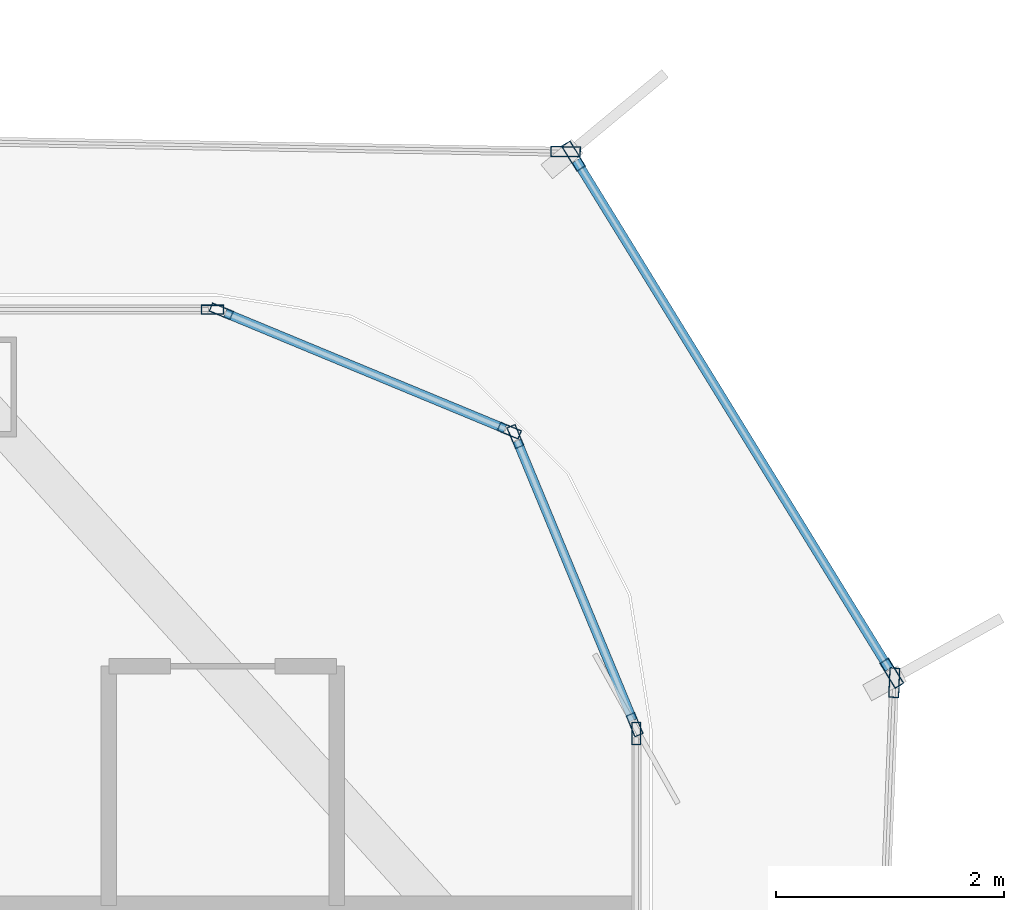
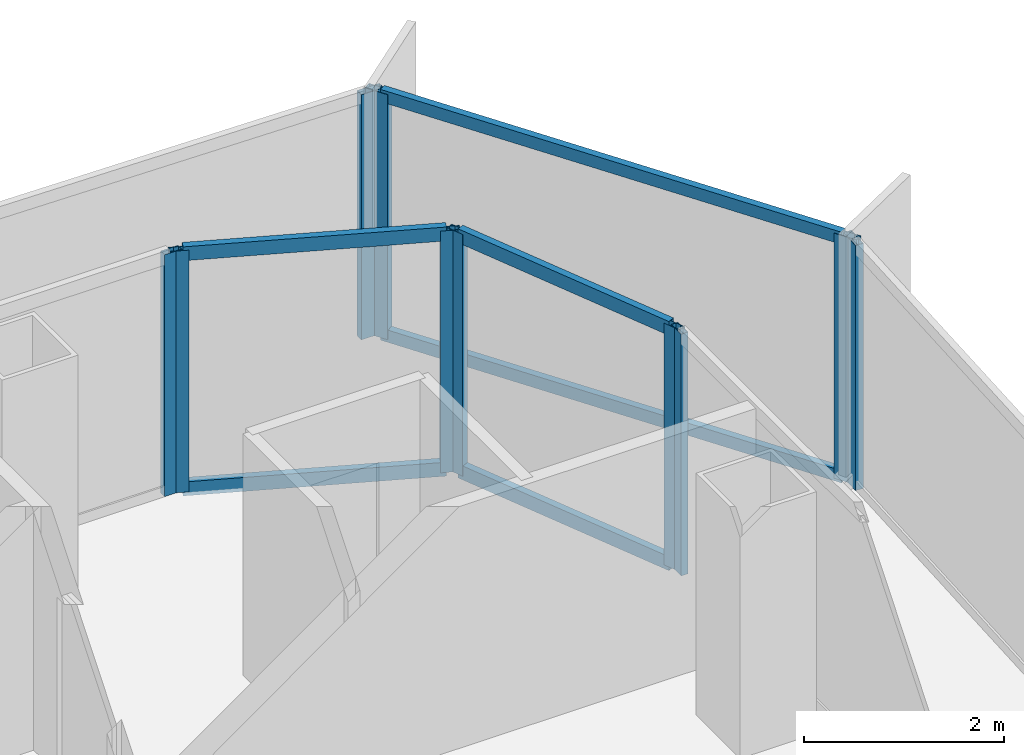
# One storey, part 14 of 21: 16 members, 7 elements without a shape of their own.
"""IFC4 building model written with IfcOpenShell, lengths in metres."""

from ifc_helpers import new_model, si_unit, direction, frame, origin, origin_2d, place, context, subcontext, project, spatial, hollow_rectangle, extrude, source, transform, mapped, material, layer, layer_set, material_profile, profile_set, type_object, element, aggregate, save


model = new_model("IFC4")

# Units and contexts
model_context = context("Model", 3, precision=1e-05, world=origin(), true_north=direction((0.0, 1.0)))
body_context = subcontext(model_context, "Body", "Model", "MODEL_VIEW")
ifc_project = project(units=[si_unit("LENGTHUNIT", "METRE"), si_unit("AREAUNIT", "SQUARE_METRE"), si_unit("VOLUMEUNIT", "CUBIC_METRE"), si_unit("PLANEANGLEUNIT", "RADIAN"), si_unit("MASSUNIT", "GRAM", prefix="KILO")], contexts=[model_context])

# Site, building, storey
site_placement = place(None, origin())
site = spatial("IfcSite", under=ifc_project, at=site_placement, CompositionType="ELEMENT")
building_placement = place(site_placement, origin())
building = spatial("IfcBuilding", under=site, at=building_placement, Name="Kolveth Station Tower", CompositionType="ELEMENT")
storey_placement = place(building_placement, frame((0.0, 0.0, 121.5)))
storey = spatial("IfcBuildingStorey", under=building, at=storey_placement, Name="L33", CompositionType="ELEMENT", Elevation=121.5)

# Curtain wall, member
ifc_material_1 = material(Name="Aluminium 6063-T6 and low-E dark glass", Category="aluminium")
ifc_layer_1 = layer(ifc_material_1, 0.18994140625)
ifc_layer_set_1 = layer_set([ifc_layer_1], Name="Aluminium 6063-T6 and low-E dark glass")
curtain_wall_type_1 = type_object("IfcCurtainWallType", Name="CurtainWall_CW-Z2", PredefinedType="NOTDEFINED", material=ifc_layer_set_1)
curtain_wall_1_placement = place(storey_placement, origin())
curtain_wall_1 = element("IfcCurtainWall", 1, at=curtain_wall_1_placement, inside=storey, type_object=curtain_wall_type_1, Name="L33 Inner Thermal Curtain Wall 3", PredefinedType="NOTDEFINED")
ifc_material_2 = material(Name="Black anodized aluminium 6063-T6", Category="aluminium")
ifc_material_profile_1 = material_profile(ifc_material_2, hollow_rectangle(XDim=0.080078125, YDim=0.199951171875, WallThickness=0.0048828125, at=origin_2d()), Name="ALU-80x200x5")
ifc_profile_set_1 = profile_set([ifc_material_profile_1], Name="Black anodized aluminium 6063-T6")
member_type_1 = type_object("IfcMemberType", Name="Mullion_ML2", PredefinedType="MULLION", material=ifc_profile_set_1)
shared_shape_1 = source(origin(), body_context, "Body", "SweptSolid", [
    extrude(hollow_rectangle(XDim=0.080078125, YDim=0.199951171875, WallThickness=0.0048828125, at=origin_2d()), origin(), (0.0, 0.0, 1.0), 2.949951171875),
])
member_1_placement = place(storey_placement, frame((46.8798828125, 31.4599609375, 0.0), z_axis=(0.0, 0.0, 1.0), x_axis=(-1.0, 0.0, 0.0)))
member_1 = element("IfcMember", 2, at=member_1_placement, type_object=member_type_1, Name="CW-Z2 mullion 2", PredefinedType="MULLION", context=body_context, shape_type="MappedRepresentation", body=[
    mapped(shared_shape_1, transform((0.0, 0.0, 0.0), x_axis=(1.0, 0.0, 0.0), y_axis=(0.0, 1.0, 0.0), z_axis=(0.0, 0.0, 1.0), scale=1.0)),
])
aggregate(curtain_wall_1, [member_1])

# Curtain wall, members
curtain_wall_2_placement = place(storey_placement, origin())
curtain_wall_2 = element("IfcCurtainWall", 3, at=curtain_wall_2_placement, inside=storey, type_object=curtain_wall_type_1, Name="L33 Inner Thermal Curtain Wall 4", PredefinedType="NOTDEFINED")
member_2_placement = place(storey_placement, frame((46.86474609375, 31.536865234375, 0.0), z_axis=(0.0, 0.0, 1.0), x_axis=(-0.923887883787, -0.38266326998, 0.0)))
member_2 = element("IfcMember", 4, at=member_2_placement, type_object=member_type_1, Name="CW-Z2 mullion 1", PredefinedType="MULLION", context=body_context, shape_type="MappedRepresentation", body=[
    mapped(shared_shape_1, transform((0.0, 0.0, 0.0), x_axis=(1.0, 0.0, 0.0), y_axis=(0.0, 1.0, 0.0), z_axis=(0.0, 0.0, 1.0), scale=1.0)),
])
member_3_placement = place(storey_placement, frame((45.817626953125, 34.065185546875, 0.0), z_axis=(0.0, 0.0, 1.0), x_axis=(-0.923887883787, -0.38266326998, 0.0)))
member_3 = element("IfcMember", 5, at=member_3_placement, type_object=member_type_1, Name="CW-Z2 mullion 2", PredefinedType="MULLION", context=body_context, shape_type="MappedRepresentation", body=[
    mapped(shared_shape_1, transform((0.0, 0.0, 0.0), x_axis=(1.0, 0.0, 0.0), y_axis=(0.0, 1.0, 0.0), z_axis=(0.0, 0.0, 1.0), scale=1.0)),
])

curtain_wall_3_placement = place(storey_placement, origin())
curtain_wall_3 = element("IfcCurtainWall", 6, at=curtain_wall_3_placement, inside=storey, type_object=curtain_wall_type_1, Name="L33 Inner Thermal Curtain Wall 5", PredefinedType="NOTDEFINED")
member_4_placement = place(storey_placement, frame((45.76513671875, 34.117431640625, 0.0), z_axis=(0.0, 0.0, 1.0), x_axis=(-0.38266326998, -0.923887883787, 0.0)))
member_4 = element("IfcMember", 7, at=member_4_placement, type_object=member_type_1, Name="CW-Z2 mullion 1", PredefinedType="MULLION", context=body_context, shape_type="MappedRepresentation", body=[
    mapped(shared_shape_1, transform((0.0, 0.0, 0.0), x_axis=(1.0, 0.0, 0.0), y_axis=(0.0, 1.0, 0.0), z_axis=(0.0, 0.0, 1.0), scale=1.0)),
])
member_5_placement = place(storey_placement, frame((43.237060546875, 35.164794921875, 0.0), z_axis=(0.0, 0.0, 1.0), x_axis=(-0.38266326998, -0.923887883787, 0.0)))
member_5 = element("IfcMember", 8, at=member_5_placement, type_object=member_type_1, Name="CW-Z2 mullion 2", PredefinedType="MULLION", context=body_context, shape_type="MappedRepresentation", body=[
    mapped(shared_shape_1, transform((0.0, 0.0, 0.0), x_axis=(1.0, 0.0, 0.0), y_axis=(0.0, 1.0, 0.0), z_axis=(0.0, 0.0, 1.0), scale=1.0)),
])

# Curtain wall, member
curtain_wall_4_placement = place(storey_placement, origin())
curtain_wall_4 = element("IfcCurtainWall", 9, at=curtain_wall_4_placement, inside=storey, type_object=curtain_wall_type_1, Name="L33 Inner Thermal Curtain Wall 6", PredefinedType="NOTDEFINED")
member_6_placement = place(storey_placement, frame((43.159912109375, 35.179931640625, 0.0), z_axis=(0.0, 0.0, 1.0), x_axis=(0.0, -1.0, 0.0)))
member_6 = element("IfcMember", 10, at=member_6_placement, type_object=member_type_1, Name="CW-Z2 mullion 1", PredefinedType="MULLION", context=body_context, shape_type="MappedRepresentation", body=[
    mapped(shared_shape_1, transform((0.0, 0.0, 0.0), x_axis=(1.0, 0.0, 0.0), y_axis=(0.0, 1.0, 0.0), z_axis=(0.0, 0.0, 1.0), scale=1.0)),
])
aggregate(curtain_wall_4, [member_6])

# Member
ifc_material_profile_2 = material_profile(ifc_material_2, hollow_rectangle(XDim=0.080078125, YDim=0.169921875, WallThickness=0.0048828125, at=origin_2d()), Name="ALU-80x170x5")
ifc_profile_set_2 = profile_set([ifc_material_profile_2], Name="Black anodized aluminium 6063-T6")
member_type_2 = type_object("IfcMemberType", Name="Transom_TR2", PredefinedType="USERDEFINED", material=ifc_profile_set_2)
shared_shape_2 = source(origin(), body_context, "Body", "SweptSolid", [
    extrude(hollow_rectangle(XDim=0.080078125, YDim=0.169921875, WallThickness=0.0048828125, at=origin_2d()), origin(), (0.0, 0.0, 1.0), 2.656494140625),
])
member_7_placement = place(storey_placement, frame((46.849365234375, 31.573974609375, 0.0400390625), z_axis=(-0.382676455475, 0.923882422403, 0.0), x_axis=(-0.923882422403, -0.382676455475, 0.0)))
member_7 = element("IfcMember", 11, at=member_7_placement, type_object=member_type_2, Name="CW-Z2 transom 1.1", ObjectType="TRANSOM", PredefinedType="USERDEFINED", context=body_context, shape_type="MappedRepresentation", body=[
    mapped(shared_shape_2, transform((0.0, 0.0, 0.0), x_axis=(1.0, 0.0, 0.0), y_axis=(0.0, 1.0, 0.0), z_axis=(0.0, 0.0, 1.0), scale=1.0)),
])

member_8_placement = place(storey_placement, frame((46.849365234375, 31.573974609375, 2.909912109375), z_axis=(-0.382676455475, 0.923882422403, 0.0), x_axis=(-0.923882422403, -0.382676455475, 0.0)))
member_8 = element("IfcMember", 12, at=member_8_placement, type_object=member_type_2, Name="CW-Z2 transom 1.2", ObjectType="TRANSOM", PredefinedType="USERDEFINED", context=body_context, shape_type="MappedRepresentation", body=[
    mapped(shared_shape_2, transform((0.0, 0.0, 0.0), x_axis=(1.0, 0.0, 0.0), y_axis=(0.0, 1.0, 0.0), z_axis=(0.0, 0.0, 1.0), scale=1.0)),
])

aggregate(curtain_wall_2, [member_2, member_3, member_7, member_8])

member_9_placement = place(storey_placement, frame((45.728271484375, 34.1328125, 0.0400390625), z_axis=(-0.923882422403, 0.382676455475, 0.0), x_axis=(-0.382676455475, -0.923882422403, 0.0)))
member_9 = element("IfcMember", 13, at=member_9_placement, type_object=member_type_2, Name="CW-Z2 transom 1.1", ObjectType="TRANSOM", PredefinedType="USERDEFINED", context=body_context, shape_type="MappedRepresentation", body=[
    mapped(shared_shape_2, transform((0.0, 0.0, 0.0), x_axis=(1.0, 0.0, 0.0), y_axis=(0.0, 1.0, 0.0), z_axis=(0.0, 0.0, 1.0), scale=1.0)),
])

member_10_placement = place(storey_placement, frame((45.728271484375, 34.1328125, 2.909912109375), z_axis=(-0.923882422403, 0.382676455475, 0.0), x_axis=(-0.382676455475, -0.923882422403, 0.0)))
member_10 = element("IfcMember", 14, at=member_10_placement, type_object=member_type_2, Name="CW-Z2 transom 1.2", ObjectType="TRANSOM", PredefinedType="USERDEFINED", context=body_context, shape_type="MappedRepresentation", body=[
    mapped(shared_shape_2, transform((0.0, 0.0, 0.0), x_axis=(1.0, 0.0, 0.0), y_axis=(0.0, 1.0, 0.0), z_axis=(0.0, 0.0, 1.0), scale=1.0)),
])

aggregate(curtain_wall_3, [member_4, member_5, member_9, member_10])

# Curtain wall, member
ifc_material_3 = material(Name="Black anodized aluminium 6063-T6 and dark solar glass", Category="aluminium")
ifc_layer_2 = layer(ifc_material_3, 0.159912109375)
ifc_layer_set_2 = layer_set([ifc_layer_2], Name="Black anodized aluminium 6063-T6 and dark solar glass")
curtain_wall_type_2 = type_object("IfcCurtainWallType", Name="OUTER SKIN CW-OS", PredefinedType="NOTDEFINED", material=ifc_layer_set_2)
curtain_wall_5_placement = place(storey_placement, origin())
curtain_wall_5 = element("IfcCurtainWall", 15, at=curtain_wall_5_placement, inside=storey, type_object=curtain_wall_type_2, Name="L33 Outer Ventilated Skin Curtain Wall 2", PredefinedType="NOTDEFINED")
ifc_material_profile_3 = material_profile(ifc_material_2, hollow_rectangle(XDim=0.090087890625, YDim=0.260009765625, WallThickness=0.0048828125, at=origin_2d()), Name="ALU-90x260x5")
ifc_profile_set_3 = profile_set([ifc_material_profile_3], Name="Black anodized aluminium 6063-T6")
member_type_3 = type_object("IfcMemberType", Name="FIN MULLION ML-OS", PredefinedType="MULLION", material=ifc_profile_set_3)
shared_shape_3 = source(origin(), body_context, "Body", "SweptSolid", [
    extrude(hollow_rectangle(XDim=0.090087890625, YDim=0.260009765625, WallThickness=0.0048828125, at=origin_2d()), origin(), (0.0, 0.0, 1.0), 2.989990234375),
])
member_11_placement = place(storey_placement, frame((49.14306640625, 31.905029296875, 0.0), z_axis=(0.0, 0.0, 1.0), x_axis=(-0.999183518417, 0.040401689619, 0.0)))
member_11 = element("IfcMember", 16, at=member_11_placement, type_object=member_type_3, Name="CW-OS mullion 2", PredefinedType="MULLION", context=body_context, shape_type="MappedRepresentation", body=[
    mapped(shared_shape_3, transform((0.0, 0.0, 0.0), x_axis=(1.0, 0.0, 0.0), y_axis=(0.0, 1.0, 0.0), z_axis=(0.0, 0.0, 1.0), scale=1.0)),
])
aggregate(curtain_wall_5, [member_11])

# Curtain wall, members
curtain_wall_6_placement = place(storey_placement, origin())
curtain_wall_6 = element("IfcCurtainWall", 17, at=curtain_wall_6_placement, inside=storey, type_object=curtain_wall_type_2, Name="L33 Outer Ventilated Skin Curtain Wall 3", PredefinedType="NOTDEFINED")
member_12_placement = place(storey_placement, frame((49.121337890625, 31.98828125, 0.0), z_axis=(0.0, 0.0, 1.0), x_axis=(-0.851615228091, -0.524167438214, 0.0)))
member_12 = element("IfcMember", 18, at=member_12_placement, type_object=member_type_3, Name="CW-OS mullion 1", PredefinedType="MULLION", context=body_context, shape_type="MappedRepresentation", body=[
    mapped(shared_shape_3, transform((0.0, 0.0, 0.0), x_axis=(1.0, 0.0, 0.0), y_axis=(0.0, 1.0, 0.0), z_axis=(0.0, 0.0, 1.0), scale=1.0)),
])
member_13_placement = place(storey_placement, frame((46.328125, 36.5263671875, 0.0), z_axis=(0.0, 0.0, 1.0), x_axis=(-0.851615228091, -0.524167438214, 0.0)))
member_13 = element("IfcMember", 19, at=member_13_placement, type_object=member_type_3, Name="CW-OS mullion 2", PredefinedType="MULLION", context=body_context, shape_type="MappedRepresentation", body=[
    mapped(shared_shape_3, transform((0.0, 0.0, 0.0), x_axis=(1.0, 0.0, 0.0), y_axis=(0.0, 1.0, 0.0), z_axis=(0.0, 0.0, 1.0), scale=1.0)),
])

# Curtain wall, member
curtain_wall_7_placement = place(storey_placement, origin())
curtain_wall_7 = element("IfcCurtainWall", 20, at=curtain_wall_7_placement, inside=storey, type_object=curtain_wall_type_2, Name="L33 Outer Ventilated Skin Curtain Wall 4", PredefinedType="NOTDEFINED")
member_14_placement = place(storey_placement, frame((46.259521484375, 36.5654296875, 0.0), z_axis=(0.0, 0.0, 1.0), x_axis=(-0.017367435746, -0.999849174714, 0.0)))
member_14 = element("IfcMember", 21, at=member_14_placement, type_object=member_type_3, Name="CW-OS mullion 1", PredefinedType="MULLION", context=body_context, shape_type="MappedRepresentation", body=[
    mapped(shared_shape_3, transform((0.0, 0.0, 0.0), x_axis=(1.0, 0.0, 0.0), y_axis=(0.0, 1.0, 0.0), z_axis=(0.0, 0.0, 1.0), scale=1.0)),
])
aggregate(curtain_wall_7, [member_14])

# Member
ifc_material_profile_4 = material_profile(ifc_material_2, hollow_rectangle(XDim=0.080078125, YDim=0.14990234375, WallThickness=0.0048828125, at=origin_2d()), Name="ALU-80x150x5")
ifc_profile_set_4 = profile_set([ifc_material_profile_4], Name="Black anodized aluminium 6063-T6")
member_type_4 = type_object("IfcMemberType", Name="Transom_TR-OS", PredefinedType="USERDEFINED", material=ifc_profile_set_4)
shared_shape_4 = source(origin(), body_context, "Body", "SweptSolid", [
    extrude(hollow_rectangle(XDim=0.080078125, YDim=0.14990234375, WallThickness=0.0048828125, at=origin_2d()), origin(), (0.0, 0.0, 1.0), 5.23876953125),
])
member_15_placement = place(storey_placement, frame((49.097900390625, 32.026611328125, 0.0400390625), z_axis=(-0.524180626945, 0.851607110313, 0.0), x_axis=(-0.851607110313, -0.524180626945, 0.0)))
member_15 = element("IfcMember", 22, at=member_15_placement, type_object=member_type_4, Name="CW-OS transom 1.1", ObjectType="TRANSOM", PredefinedType="USERDEFINED", context=body_context, shape_type="MappedRepresentation", body=[
    mapped(shared_shape_4, transform((0.0, 0.0, 0.0), x_axis=(1.0, 0.0, 0.0), y_axis=(0.0, 1.0, 0.0), z_axis=(0.0, 0.0, 1.0), scale=1.0)),
])

member_16_placement = place(storey_placement, frame((49.097900390625, 32.026611328125, 2.949951171875), z_axis=(-0.524180626945, 0.851607110313, 0.0), x_axis=(-0.851607110313, -0.524180626945, 0.0)))
member_16 = element("IfcMember", 23, at=member_16_placement, type_object=member_type_4, Name="CW-OS transom 1.2", ObjectType="TRANSOM", PredefinedType="USERDEFINED", context=body_context, shape_type="MappedRepresentation", body=[
    mapped(shared_shape_4, transform((0.0, 0.0, 0.0), x_axis=(1.0, 0.0, 0.0), y_axis=(0.0, 1.0, 0.0), z_axis=(0.0, 0.0, 1.0), scale=1.0)),
])

aggregate(curtain_wall_6, [member_12, member_13, member_15, member_16])

save(model, "model.ifc")
